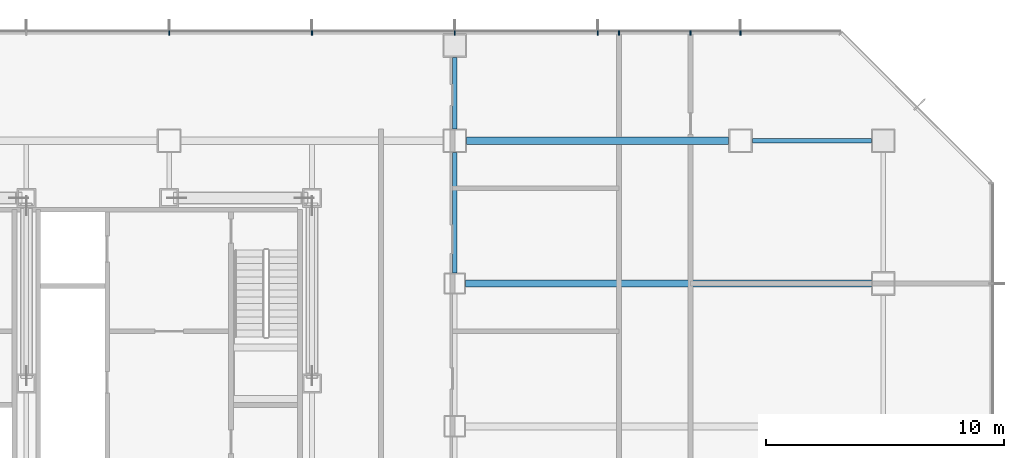
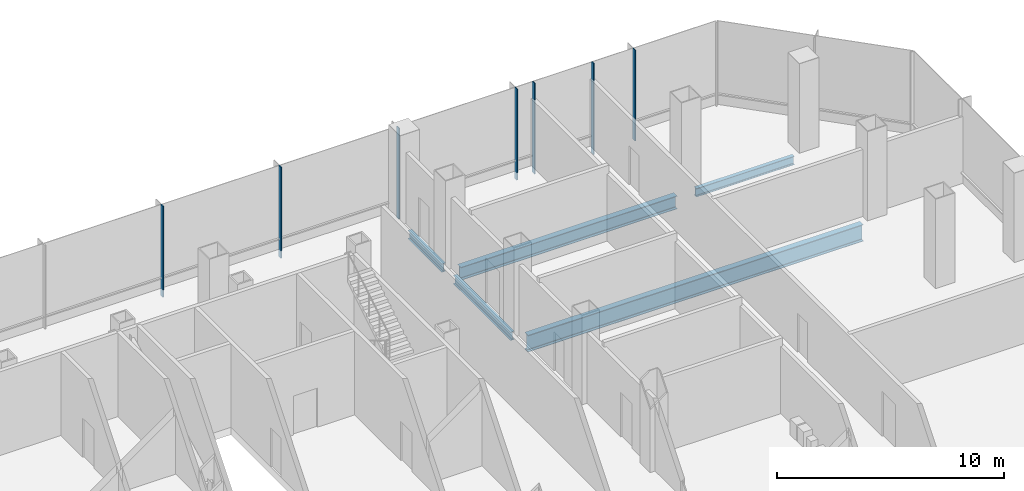
# One storey, part 16 of 34: 7 members, 5 beams, 1 element without a shape of its own.
"""IFC4 building model written with IfcOpenShell, lengths in metres."""

from ifc_helpers import new_model, si_unit, direction, frame, origin, origin_2d, place, context, subcontext, project, spatial, rectangle, i_section, extrude, material, material_profile, profile_set, type_object, element, aggregate, save


model = new_model("IFC4")

# Units and contexts
model_context = context("Model", 3, precision=1e-05, world=origin(), true_north=direction((0.0, 1.0)))
body_context = subcontext(model_context, "Body", "Model", "MODEL_VIEW")
ifc_project = project(units=[si_unit("LENGTHUNIT", "METRE"), si_unit("AREAUNIT", "SQUARE_METRE"), si_unit("VOLUMEUNIT", "CUBIC_METRE"), si_unit("PLANEANGLEUNIT", "RADIAN"), si_unit("MASSUNIT", "GRAM", prefix="KILO")], contexts=[model_context])

# Site, building, storey
site_placement = place(None, origin())
site = spatial("IfcSite", under=ifc_project, at=site_placement, CompositionType="ELEMENT")
building_placement = place(site_placement, origin())
building = spatial("IfcBuilding", under=site, at=building_placement, Name="Sorahane Residences", CompositionType="ELEMENT")
storey_placement = place(building_placement, frame((0.0, 0.0, 39.60009765625)))
storey = spatial("IfcBuildingStorey", under=building, at=storey_placement, Name="L06", CompositionType="ELEMENT", Elevation=39.60009765625)

# Curtain wall, members
ifc_material_1 = material(Name="Dark low-e glass and black anodised aluminium", Category="aluminium")
curtain_wall_type = type_object("IfcCurtainWallType", Name="Curtain wall CW-3 Podium unitised wall", PredefinedType="NOTDEFINED", material=ifc_material_1)
curtain_wall_placement = place(storey_placement, origin())
curtain_wall = element("IfcCurtainWall", 1, at=curtain_wall_placement, inside=storey, type_object=curtain_wall_type, Name="CW-3 curtain wall L06 N1", PredefinedType="NOTDEFINED")
ifc_material_2 = material(Name="Black anodised aluminium", Category="aluminium")
ifc_material_profile_1 = material_profile(ifc_material_2, rectangle(XDim=0.199951171875, YDim=0.050048828125, at=origin_2d()), Name="Curtain wall mullion CW-3 black anodised aluminium 50x200")
ifc_profile_set_1 = profile_set([ifc_material_profile_1], Name="Black anodised aluminium")
member_type = type_object("IfcMemberType", Name="Curtain wall mullion CW-3 black anodised aluminium 50x200", PredefinedType="MULLION", material=ifc_profile_set_1)
member_1_placement = place(storey_placement, frame((60.0, 52.52001953125, -0.400146484375), z_axis=(0.0, 0.0, 1.0), x_axis=(0.0, 1.0, 0.0)))
member_1 = element("IfcMember", 2, at=member_1_placement, type_object=member_type, Name="CW-3 mullion L06 N1.2", PredefinedType="MULLION", context=body_context, shape_type="SweptSolid", body=[
    extrude(rectangle(XDim=0.199951171875, YDim=0.050048828125, at=origin_2d()), origin(), (0.0, 0.0, 1.0), 4.900146484375),
])
member_2_placement = place(storey_placement, frame((57.89990234375, 52.52001953125, -0.400146484375), z_axis=(0.0, 0.0, 1.0), x_axis=(0.0, 1.0, 0.0)))
member_2 = element("IfcMember", 3, at=member_2_placement, type_object=member_type, Name="CW-3 mullion L06 N1.3", PredefinedType="MULLION", context=body_context, shape_type="SweptSolid", body=[
    extrude(rectangle(XDim=0.199951171875, YDim=0.050048828125, at=origin_2d()), origin(), (0.0, 0.0, 1.0), 4.900146484375),
])
member_3_placement = place(storey_placement, frame((54.89990234375, 52.52001953125, -0.400146484375), z_axis=(0.0, 0.0, 1.0), x_axis=(0.0, 1.0, 0.0)))
member_3 = element("IfcMember", 4, at=member_3_placement, type_object=member_type, Name="CW-3 mullion L06 N1.4", PredefinedType="MULLION", context=body_context, shape_type="SweptSolid", body=[
    extrude(rectangle(XDim=0.199951171875, YDim=0.050048828125, at=origin_2d()), origin(), (0.0, 0.0, 1.0), 4.900146484375),
])
member_4_placement = place(storey_placement, frame((54.0, 52.52001953125, -0.400146484375), z_axis=(0.0, 0.0, 1.0), x_axis=(0.0, 1.0, 0.0)))
member_4 = element("IfcMember", 5, at=member_4_placement, type_object=member_type, Name="CW-3 mullion L06 N1.5", PredefinedType="MULLION", context=body_context, shape_type="SweptSolid", body=[
    extrude(rectangle(XDim=0.199951171875, YDim=0.050048828125, at=origin_2d()), origin(), (0.0, 0.0, 1.0), 4.900146484375),
])
member_5_placement = place(storey_placement, frame((48.0, 52.52001953125, -0.400146484375), z_axis=(0.0, 0.0, 1.0), x_axis=(0.0, 1.0, 0.0)))
member_5 = element("IfcMember", 6, at=member_5_placement, type_object=member_type, Name="CW-3 mullion L06 N1.6", PredefinedType="MULLION", context=body_context, shape_type="SweptSolid", body=[
    extrude(rectangle(XDim=0.199951171875, YDim=0.050048828125, at=origin_2d()), origin(), (0.0, 0.0, 1.0), 4.900146484375),
])
member_6_placement = place(storey_placement, frame((42.0, 52.52001953125, -0.400146484375), z_axis=(0.0, 0.0, 1.0), x_axis=(0.0, 1.0, 0.0)))
member_6 = element("IfcMember", 7, at=member_6_placement, type_object=member_type, Name="CW-3 mullion L06 N1.7", PredefinedType="MULLION", context=body_context, shape_type="SweptSolid", body=[
    extrude(rectangle(XDim=0.199951171875, YDim=0.050048828125, at=origin_2d()), origin(), (0.0, 0.0, 1.0), 4.900146484375),
])
member_7_placement = place(storey_placement, frame((36.0, 52.52001953125, -0.400146484375), z_axis=(0.0, 0.0, 1.0), x_axis=(0.0, 1.0, 0.0)))
member_7 = element("IfcMember", 8, at=member_7_placement, type_object=member_type, Name="CW-3 mullion L06 N1.8", PredefinedType="MULLION", context=body_context, shape_type="SweptSolid", body=[
    extrude(rectangle(XDim=0.199951171875, YDim=0.050048828125, at=origin_2d()), origin(), (0.0, 0.0, 1.0), 4.900146484375),
])
aggregate(curtain_wall, [member_1, member_2, member_3, member_4, member_5, member_6, member_7])

# Beams
ifc_material_3 = material(Name="Steel Q355B", Category="steel")
ifc_material_profile_2 = material_profile(ifc_material_3, i_section(OverallWidth=0.199951171875, OverallDepth=0.449951171875, WebThickness=0.009033203125, FlangeThickness=0.013916015625, FilletRadius=0.02001953125, at=origin_2d()), Name="HN 450x200x9x14")
ifc_profile_set_2 = profile_set([ifc_material_profile_2], Name="Steel Q355B")
beam_type_1 = type_object("IfcBeamType", Name="Steel floor beam HN 450x200x9x14 Q355B", PredefinedType="BEAM", material=ifc_profile_set_2)
beam_1_placement = place(storey_placement, frame((60.5, 48.0, -0.625), z_axis=(1.0, 0.0, 0.0), x_axis=(0.0, 1.0, 0.0)))
element("IfcBeam", 9, at=beam_1_placement, inside=storey, type_object=beam_type_1, Name="Beam L06 023", PredefinedType="BEAM", context=body_context, shape_type="SweptSolid", body=[
    extrude(i_section(OverallWidth=0.199951171875, OverallDepth=0.449951171875, WebThickness=0.009033203125, FlangeThickness=0.013916015625, FilletRadius=0.02001953125, at=origin_2d()), origin(), (0.0, 0.0, 1.0), 5.0),
])
beam_2_placement = place(storey_placement, frame((48.0, 42.449951171875, -0.625), z_axis=(0.0, 1.0, 0.0), x_axis=(-1.0, 0.0, 0.0)))
element("IfcBeam", 10, at=beam_2_placement, inside=storey, type_object=beam_type_1, Name="Beam L06 068", PredefinedType="BEAM", context=body_context, shape_type="SweptSolid", body=[
    extrude(i_section(OverallWidth=0.199951171875, OverallDepth=0.449951171875, WebThickness=0.009033203125, FlangeThickness=0.013916015625, FilletRadius=0.02001953125, at=origin_2d()), origin(), (0.0, 0.0, 1.0), 5.050048828125),
])
beam_3_placement = place(storey_placement, frame((48.0, 48.5, -0.625), z_axis=(0.0, 1.0, 0.0), x_axis=(-1.0, 0.0, 0.0)))
element("IfcBeam", 11, at=beam_3_placement, inside=storey, type_object=beam_type_1, Name="Beam L06 069", PredefinedType="BEAM", context=body_context, shape_type="SweptSolid", body=[
    extrude(i_section(OverallWidth=0.199951171875, OverallDepth=0.449951171875, WebThickness=0.009033203125, FlangeThickness=0.013916015625, FilletRadius=0.02001953125, at=origin_2d()), origin(), (0.0, 0.0, 1.0), 3.0),
])
ifc_material_4 = material(Name="Steel Q355B", Category="steel")
ifc_material_profile_3 = material_profile(ifc_material_4, i_section(OverallWidth=0.300048828125, OverallDepth=0.699951171875, WebThickness=0.012939453125, FlangeThickness=0.02392578125, FilletRadius=0.028076171875, at=origin_2d()), Name="HN 700x300x13x24")
ifc_profile_set_3 = profile_set([ifc_material_profile_3], Name="Steel Q355B")
beam_type_2 = type_object("IfcBeamType", Name="Steel floor beam HN 700x300x13x24 Q355B", PredefinedType="BEAM", material=ifc_profile_set_3)
beam_4_placement = place(storey_placement, frame((48.5, 48.0, -0.75), z_axis=(1.0, 0.0, 0.0), x_axis=(0.0, 1.0, 0.0)))
element("IfcBeam", 12, at=beam_4_placement, inside=storey, type_object=beam_type_2, Name="Beam L06 022", PredefinedType="BEAM", context=body_context, shape_type="SweptSolid", body=[
    extrude(i_section(OverallWidth=0.300048828125, OverallDepth=0.699951171875, WebThickness=0.012939453125, FlangeThickness=0.02392578125, FilletRadius=0.028076171875, at=origin_2d()), origin(), (0.0, 0.0, 1.0), 11.0),
])
ifc_material_5 = material(Name="Steel Q355B", Category="steel")
ifc_material_profile_4 = material_profile(ifc_material_5, i_section(OverallWidth=0.300048828125, OverallDepth=0.89990234375, WebThickness=0.01611328125, FlangeThickness=0.028076171875, FilletRadius=0.028076171875, at=origin_2d()), Name="HN 900x300x16x28")
ifc_profile_set_4 = profile_set([ifc_material_profile_4], Name="Steel Q355B")
beam_type_3 = type_object("IfcBeamType", Name="Steel floor beam HN 900x300x16x28 Q355B", PredefinedType="BEAM", material=ifc_profile_set_4)
beam_5_placement = place(storey_placement, frame((48.4501953125, 42.0, -0.85009765625), z_axis=(1.0, 0.0, 0.0), x_axis=(0.0, 1.0, 0.0)))
element("IfcBeam", 13, at=beam_5_placement, inside=storey, type_object=beam_type_3, Name="Beam L06 086", PredefinedType="BEAM", context=body_context, shape_type="SweptSolid", body=[
    extrude(i_section(OverallWidth=0.300048828125, OverallDepth=0.89990234375, WebThickness=0.01611328125, FlangeThickness=0.028076171875, FilletRadius=0.028076171875, at=origin_2d()), origin(), (0.0, 0.0, 1.0), 17.049560546875),
])

save(model, "model.ifc")
